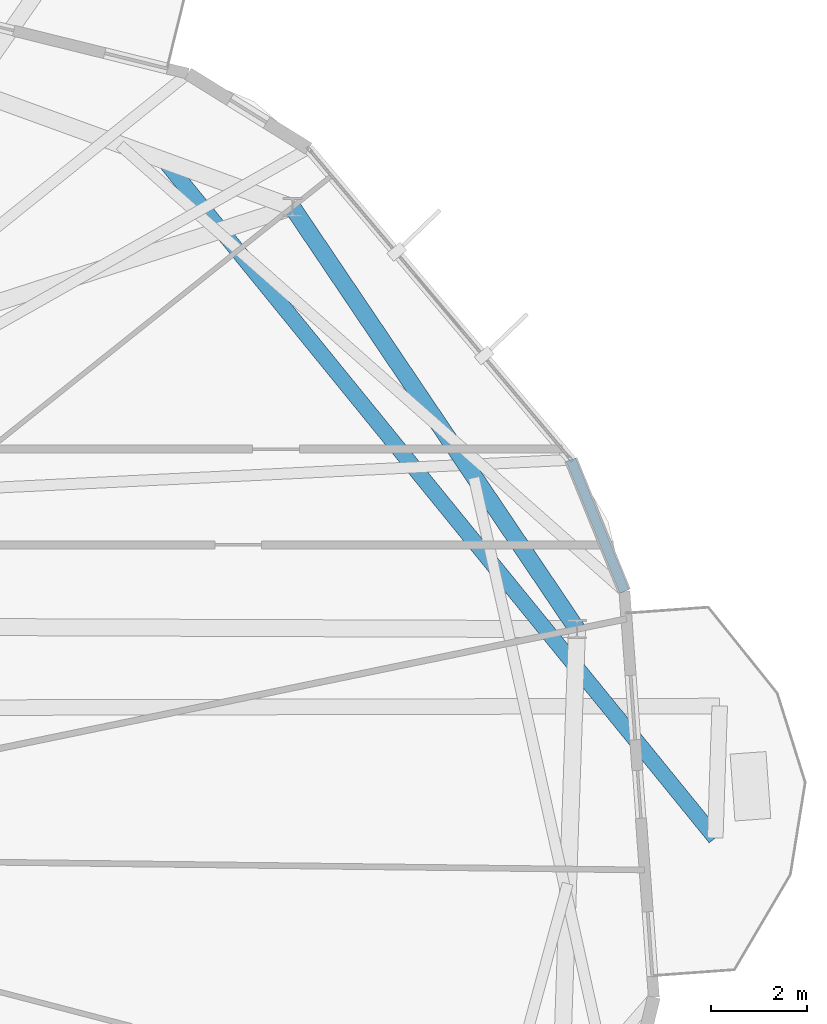
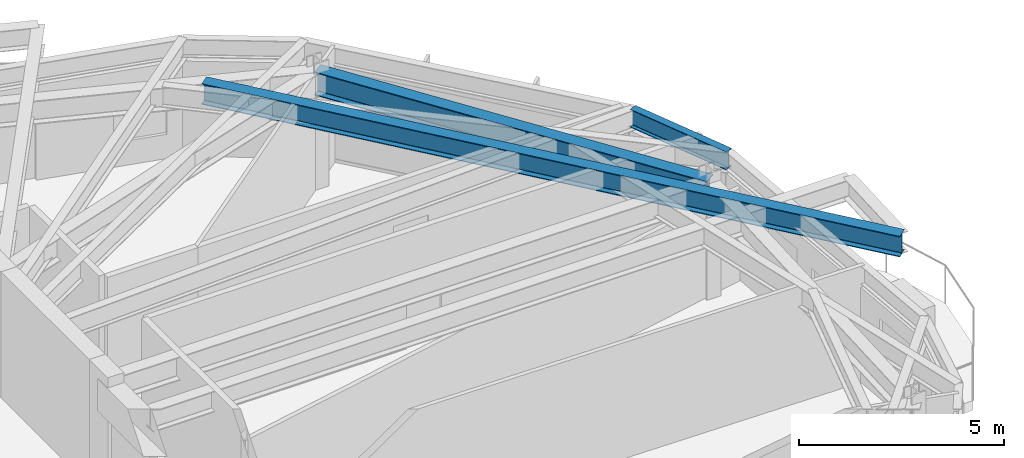
# One storey, part 15 of 26: 3 beams.
"""IFC4 building model written with IfcOpenShell, lengths in metres."""

import ifcopenshell
import ifcopenshell.guid

model = None  # the IFC model being written
_history = None  # IfcOwnerHistory: only IFC2X3 demands one
_inside = {}  # id of a spatial element -> (the spatial element, [elements in it])
_under = {}  # id of a project, library or spatial element -> (it, [spatial elements below it])
_declared = {}  # id of a project -> (the project, [libraries it declares])
_typed = {}  # id of a type object -> (the type object, [elements of that type])
_made_of = {}  # id of a material, layer set ... -> (it, [elements and type objects made of it])


def new_model(schema):
    """Start an empty IFC model of exactly this schema.

    Asked for "IFC4X3", IfcOpenShell would pick the latest addendum, in which some entities
    have other attributes; the version numbers below select the first issue.
    IFC2X3 requires an IfcOwnerHistory on every rooted entity: one is made here for all.
    """
    global model, _history
    if schema == "IFC4X3":
        model = ifcopenshell.file(schema_version=(4, 3, 0, 0))
    else:
        model = ifcopenshell.file(schema=schema)
    _inside.clear()
    _under.clear()
    _declared.clear()
    _typed.clear()
    _made_of.clear()
    _history = None
    if model.schema == "IFC2X3":
        org = make("IfcOrganization", Name="unknown")
        user = make(
            "IfcPersonAndOrganization",
            ThePerson=make("IfcPerson", FamilyName="unknown"),
            TheOrganization=org,
        )
        app = make(
            "IfcApplication",
            ApplicationDeveloper=org,
            Version="unknown",
            ApplicationFullName="unknown",
            ApplicationIdentifier="unknown",
        )
        _history = make(
            "IfcOwnerHistory",
            OwningUser=user,
            OwningApplication=app,
            ChangeAction="ADDED",
            CreationDate=0,
        )
    return model


def make(cls, **values):
    """One entity of the class cls with the attributes given. An attribute that is None is left unset."""
    return model.create_entity(
        cls, **{name: value for name, value in values.items() if value is not None}
    )


def rooted(cls, **values):
    """An entity with a GlobalId (a new one), such as an element, a storey or a relation."""
    return make(cls, GlobalId=ifcopenshell.guid.new(), OwnerHistory=_history, **values)


def si_unit(unit_type, name, prefix=None):
    """IfcSIUnit, for example si_unit("LENGTHUNIT", "METRE", prefix="MILLI")."""
    return make("IfcSIUnit", UnitType=unit_type, Prefix=prefix, Name=name)


def assignment(units):
    """IfcUnitAssignment: the units of a project."""
    return None if units is None else make("IfcUnitAssignment", Units=units)


def point(xyz):
    """IfcCartesianPoint."""
    return None if xyz is None else make("IfcCartesianPoint", Coordinates=xyz)


def direction(xyz):
    """IfcDirection."""
    return None if xyz is None else make("IfcDirection", DirectionRatios=xyz)


def frame(location, z_axis=None, x_axis=None):
    """IfcAxis2Placement3D, a coordinate frame: its origin and axes. An axis left out is left unset."""
    return make(
        "IfcAxis2Placement3D",
        Location=point(location),
        Axis=direction(z_axis),
        RefDirection=direction(x_axis),
    )


def frame_2d(location, x_axis=None):
    """IfcAxis2Placement2D, a coordinate frame in the plane: its origin and x axis."""
    return make(
        "IfcAxis2Placement2D", Location=point(location), RefDirection=direction(x_axis)
    )


def origin():
    """The frame at (0, 0, 0) with its axes left unset."""
    return frame((0.0, 0.0, 0.0))


def origin_2d():
    """The frame at (0, 0) in the plane with its x axis left unset."""
    return frame_2d((0.0, 0.0))


def place(relative_to, where):
    """IfcLocalPlacement: puts the frame where relative to a parent placement (None: the world)."""
    return make(
        "IfcLocalPlacement", PlacementRelTo=relative_to, RelativePlacement=where
    )


def context(
    kind, dimensions, precision=None, world=None, true_north=None, identifier=None
):
    """IfcGeometricRepresentationContext, for example the 3D "Model" context."""
    return make(
        "IfcGeometricRepresentationContext",
        ContextIdentifier=identifier,
        ContextType=kind,
        CoordinateSpaceDimension=dimensions,
        Precision=precision,
        WorldCoordinateSystem=world,
        TrueNorth=true_north,
    )


def subcontext(parent, identifier, kind, view, scale=None):
    """IfcGeometricRepresentationSubContext, for example "Body" below "Model"."""
    return make(
        "IfcGeometricRepresentationSubContext",
        ContextIdentifier=identifier,
        ContextType=kind,
        ParentContext=parent,
        TargetScale=scale,
        TargetView=view,
    )


def project(units=None, contexts=None):
    """IfcProject with its units and contexts."""
    return rooted(
        "IfcProject",
        Name="project",
        RepresentationContexts=contexts,
        UnitsInContext=assignment(units),
    )


def spatial(cls, under=None, at=None, **own):
    """A site, building, storey or space (cls), placed at a placement, below another one or the project."""
    s = rooted(cls, ObjectPlacement=at, **own)
    if under is not None:
        _under.setdefault(under.id(), (under, []))[1].append(s)
    return s


def profile(cls, at=None, kind="AREA", **sizes):
    """A parametric profile (cls). Its sizes go by their IFC names, for example OverallWidth=200.0."""
    return make(cls, ProfileType=kind, Position=at, **sizes)


def i_section(**sizes):
    """IfcIShapeProfileDef."""
    return profile("IfcIShapeProfileDef", **sizes)


def extrude(swept, where, along, depth):
    """IfcExtrudedAreaSolid: the profile swept, set in the frame where, extruded along a direction by depth."""
    return make(
        "IfcExtrudedAreaSolid",
        SweptArea=swept,
        Position=where,
        ExtrudedDirection=direction(along),
        Depth=depth,
    )


def shape(context_of_items, identifier, shape_type, items):
    """IfcShapeRepresentation: the items that make up one representation, for example the "Body"."""
    return make(
        "IfcShapeRepresentation",
        ContextOfItems=context_of_items,
        RepresentationIdentifier=identifier,
        RepresentationType=shape_type,
        Items=items,
    )


def material(Name=None, Category=None):
    """IfcMaterial."""
    return make("IfcMaterial", Name=Name, Category=Category)


def material_profile(
    of_material, cross_section, Name=None, Category=None, Priority=None
):
    """IfcMaterialProfile: a cross section and its material."""
    return make(
        "IfcMaterialProfile",
        Name=Name,
        Material=of_material,
        Profile=cross_section,
        Priority=Priority,
        Category=Category,
    )


def profile_set(profiles, Name=None, composite=None):
    """IfcMaterialProfileSet."""
    return make(
        "IfcMaterialProfileSet",
        Name=Name,
        MaterialProfiles=profiles,
        CompositeProfile=composite,
    )


def made_of(thing, what):
    """Note that an element or type object is made of a material, layer set ...; save() writes the relation."""
    if what is not None:
        _made_of.setdefault(what.id(), (what, []))[1].append(thing)
    return thing


def type_object(cls, material=None, **own):
    """A type object (cls), such as IfcWallType, which elements share."""
    return made_of(rooted(cls, **own), material)


def element(
    cls,
    number,
    at=None,
    inside=None,
    cuts=None,
    type_object=None,
    material=None,
    context=None,
    identifier="Body",
    shape_type=None,
    held_by="IfcProductDefinitionShape",
    body=None,
    shapes=None,
    **own,
):
    """One element of the class cls, such as IfcWall. Its Tag is "e" and its number.

    at: its placement. inside: the storey or other place that contains it. cuts: it is an
    opening in that element (IfcRelVoidsElement). A single representation is given by context,
    identifier, shape_type and body (its items); several are given by shapes. held_by: the class
    of the entity that holds the representations. save() writes the other relations.
    """
    e = rooted(cls, Tag="e%d" % number, ObjectPlacement=at, **own)
    if body is not None:
        shapes = [shape(context, identifier, shape_type, body)]
    if shapes is not None:
        e.Representation = make(held_by, Representations=shapes)
    if inside is not None:
        _inside.setdefault(inside.id(), (inside, []))[1].append(e)
    if cuts is not None:
        rooted(
            "IfcRelVoidsElement", RelatingBuildingElement=cuts, RelatedOpeningElement=e
        )
    if type_object is not None:
        _typed.setdefault(type_object.id(), (type_object, []))[1].append(e)
    return made_of(e, material)


def aggregate(whole, parts):
    """IfcRelAggregates: a whole, such as a stair, and the parts it consists of."""
    return rooted("IfcRelAggregates", RelatingObject=whole, RelatedObjects=parts)


def save(model, path):
    """Write the relations noted so far, then the file.

    IfcRelAggregates (storeys below a building ...), IfcRelContainedInSpatialStructure (elements
    in a storey), IfcRelDefinesByType, IfcRelAssociatesMaterial and IfcRelDeclares: one each for
    every whole, place, type object, material and project.
    """
    for whole, parts in _under.values():
        aggregate(whole, parts)
    for where, things in _inside.values():
        rooted(
            "IfcRelContainedInSpatialStructure",
            RelatedElements=things,
            RelatingStructure=where,
        )
    for kind, things in _typed.values():
        rooted("IfcRelDefinesByType", RelatedObjects=things, RelatingType=kind)
    for what, things in _made_of.values():
        rooted("IfcRelAssociatesMaterial", RelatedObjects=things, RelatingMaterial=what)
    for by, libraries in _declared.values():
        rooted("IfcRelDeclares", RelatingContext=by, RelatedDefinitions=libraries)
    model.write(path)


model = new_model("IFC4")

# Units and contexts
model_context = context("Model", 3, precision=1e-05, world=origin(), true_north=direction((0.0, 1.0)))
body_context = subcontext(model_context, "Body", "Model", "MODEL_VIEW")
ifc_project = project(units=[si_unit("LENGTHUNIT", "METRE"), si_unit("AREAUNIT", "SQUARE_METRE"), si_unit("VOLUMEUNIT", "CUBIC_METRE"), si_unit("PLANEANGLEUNIT", "RADIAN"), si_unit("MASSUNIT", "GRAM", prefix="KILO")], contexts=[model_context])

# Site, building, storey
site_placement = place(None, origin())
site = spatial("IfcSite", under=ifc_project, at=site_placement, CompositionType="ELEMENT")
building_placement = place(site_placement, origin())
building = spatial("IfcBuilding", under=site, at=building_placement, Name="Soratama Intermodal Tower", CompositionType="ELEMENT")
storey_placement = place(building_placement, frame((0.0, 0.0, 246.25)))
storey = spatial("IfcBuildingStorey", under=building, at=storey_placement, Name="L62", CompositionType="ELEMENT", Elevation=246.25)

# Beams
ifc_material_1 = material(Name="Structural steel ASTM A992 Grade 50", Category="steel")
ifc_material_profile_1 = material_profile(ifc_material_1, i_section(OverallWidth=0.324951171875, OverallDepth=0.615966796875, WebThickness=0.013916015625, FlangeThickness=0.021484375, FilletRadius=0.013916015625, at=origin_2d()), Name="W24X117")
ifc_profile_set_1 = profile_set([ifc_material_profile_1], Name="Structural steel ASTM A992 Grade 50")
beam_type_1 = type_object("IfcBeamType", Name="BM-CANT-W24X117", PredefinedType="BEAM", material=ifc_profile_set_1)
beam_1_placement = place(storey_placement, frame((52.94091796875, 39.49609375, 3.14208984375), z_axis=(0.630982504, -0.775797060865, 0.0), x_axis=(0.775797060865, 0.630982504, 0.0)))
element("IfcBeam", 1, at=beam_1_placement, inside=storey, type_object=beam_type_1, Name="BM-L62-CANT-1-1", PredefinedType="BEAM", context=body_context, shape_type="SweptSolid", body=[
    extrude(i_section(OverallWidth=0.324951171875, OverallDepth=0.615966796875, WebThickness=0.013916015625, FlangeThickness=0.021484375, FilletRadius=0.013916015625, at=origin_2d()), origin(), (0.0, 0.0, 1.0), 18.19580078125),
])
ifc_material_2 = material(Name="Structural steel ASTM A992 Grade 50", Category="steel")
ifc_material_profile_2 = material_profile(ifc_material_2, i_section(OverallWidth=0.35498046875, OverallDepth=0.695068359375, WebThickness=0.015380859375, FlangeThickness=0.02490234375, FilletRadius=0.01611328125, at=origin_2d()), Name="W27X146")
ifc_profile_set_2 = profile_set([ifc_material_profile_2], Name="Structural steel ASTM A992 Grade 50")
beam_type_2 = type_object("IfcBeamType", Name="BM-RING-W27X146", PredefinedType="BEAM", material=ifc_profile_set_2)
beam_2_placement = place(storey_placement, frame((61.533935546875, 29.740966796875, 3.1025390625), z_axis=(-0.559218025165, 0.829020627204, 0.0), x_axis=(-0.829020627204, -0.559218025165, 0.0)))
element("IfcBeam", 2, at=beam_2_placement, inside=storey, type_object=beam_type_2, Name="BM-L62-RING-01", PredefinedType="BEAM", context=body_context, shape_type="SweptSolid", body=[
    extrude(i_section(OverallWidth=0.35498046875, OverallDepth=0.695068359375, WebThickness=0.015380859375, FlangeThickness=0.02490234375, FilletRadius=0.01611328125, at=origin_2d()), origin(), (0.0, 0.0, 1.0), 10.630615234375),
])
ifc_material_3 = material(Name="Structural steel ASTM A992 Grade 50", Category="steel")
ifc_material_profile_3 = material_profile(ifc_material_3, i_section(OverallWidth=0.2099609375, OverallDepth=0.537109375, WebThickness=0.010986328125, FlangeThickness=0.017333984375, FilletRadius=0.012939453125, at=origin_2d()), Name="W21X68")
ifc_profile_set_3 = profile_set([ifc_material_profile_3], Name="Structural steel ASTM A992 Grade 50")
beam_type_3 = type_object("IfcBeamType", Name="BM-SPN-W21X68", PredefinedType="SPANDREL", material=ifc_profile_set_3)
beam_3_placement = place(storey_placement, frame((62.52587890625, 30.530029296875, 3.181396484375), z_axis=(-0.3768184741, 0.926287124803, 0.0), x_axis=(-0.926287124803, -0.3768184741, 0.0)))
element("IfcBeam", 3, at=beam_3_placement, inside=storey, type_object=beam_type_3, Name="BS-L62-CRN09", PredefinedType="SPANDREL", context=body_context, shape_type="SweptSolid", body=[
    extrude(i_section(OverallWidth=0.2099609375, OverallDepth=0.537109375, WebThickness=0.010986328125, FlangeThickness=0.017333984375, FilletRadius=0.012939453125, at=origin_2d()), origin(), (0.0, 0.0, 1.0), 2.966796875),
])

save(model, "model.ifc")
